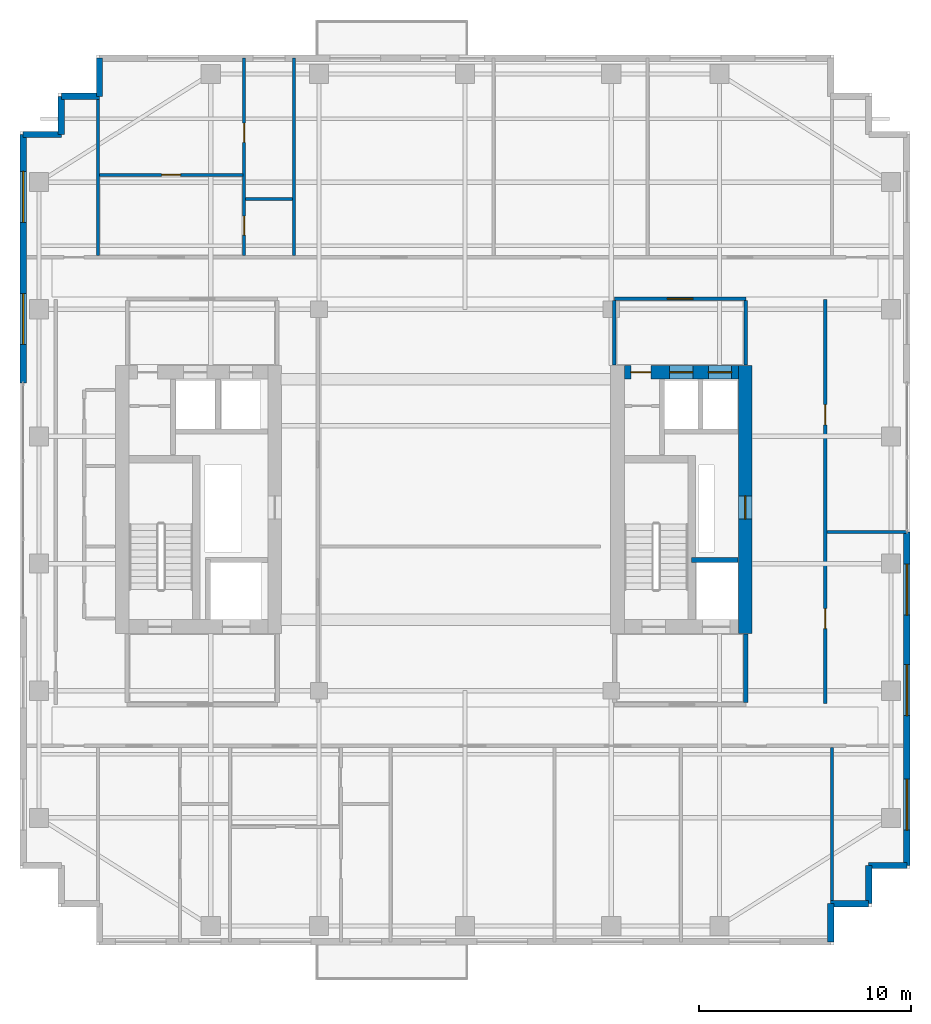
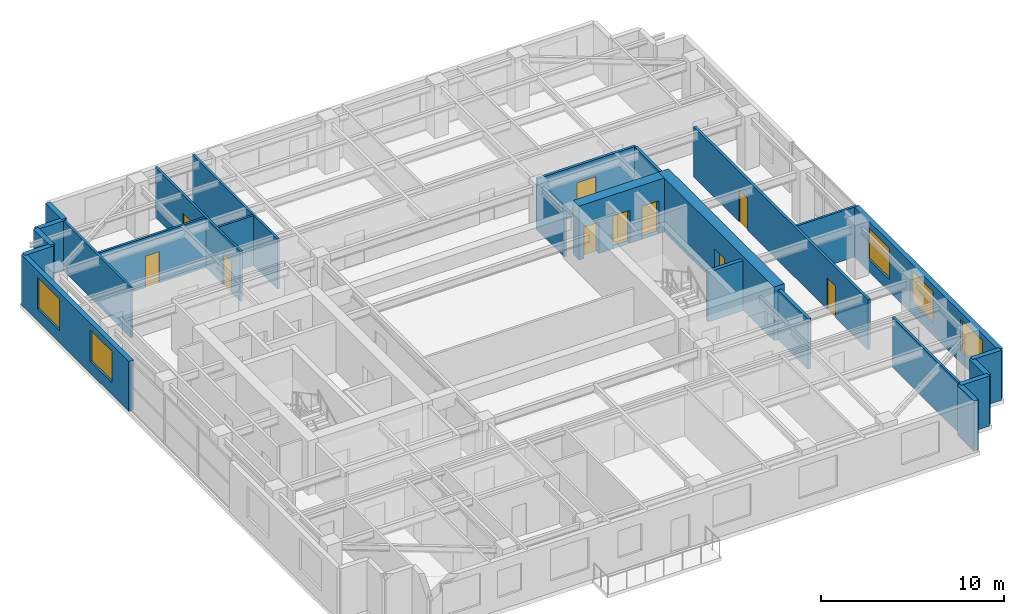
# One storey, part 11 of 15: 25 walls, 10 doors, 5 windows, 15 openings.
"""IFC4 building model written with IfcOpenShell, lengths in metres."""

from ifc_helpers import new_model, si_unit, direction, frame, frame_2d, origin, place, context, subcontext, project, spatial, rectangle, extrude, source, transform, mapped, material, layer, layer_set, type_object, element, fill, save


model = new_model("IFC4")

# Units and contexts
model_context = context("Model", 3, precision=1e-05, world=origin(), true_north=direction((0.0, 1.0)))
body_context = subcontext(model_context, "Body", "Model", "MODEL_VIEW")
ifc_project = project(units=[si_unit("LENGTHUNIT", "METRE"), si_unit("AREAUNIT", "SQUARE_METRE"), si_unit("VOLUMEUNIT", "CUBIC_METRE"), si_unit("PLANEANGLEUNIT", "RADIAN"), si_unit("MASSUNIT", "GRAM", prefix="KILO")], contexts=[model_context])

# Site, building, storey
site_placement = place(None, origin())
site = spatial("IfcSite", under=ifc_project, at=site_placement, CompositionType="ELEMENT")
building_placement = place(site_placement, origin())
building = spatial("IfcBuilding", under=site, at=building_placement, Name="Khoralis Quay Care Tower", CompositionType="ELEMENT")
storey_placement = place(building_placement, frame((0.0, 0.0, 162.89990234375)))
storey = spatial("IfcBuildingStorey", under=building, at=storey_placement, Name="L42", CompositionType="ELEMENT", Elevation=162.89990234375)

# Wall
ifc_material_1 = material(Name="Gypsum plasterboard on acoustic metal stud")
ifc_layer_1 = layer(ifc_material_1, 0.199951171875)
ifc_layer_set_1 = layer_set([ifc_layer_1], Name="Gypsum plasterboard on acoustic metal stud")
wall_type_1 = type_object("IfcWallType", Name="WL-COMP-200", PredefinedType="PARTITIONING", material=ifc_layer_set_1)
wall_1_placement = place(storey_placement, frame((37.25, 11.445068359375, 0.0), z_axis=(0.0, 0.0, 1.0), x_axis=(0.0, 1.0, 0.0)))
element("IfcWall", 1, at=wall_1_placement, inside=storey, type_object=wall_type_1, Name="L42 East Firefighting Lobby East Wall", PredefinedType="PARTITIONING", context=body_context, shape_type="SweptSolid", body=[
    extrude(rectangle(XDim=3.23486328125, YDim=0.199951171875, at=frame_2d((1.617431640625, 0.0))), origin(), (0.0, 0.0, 1.0), 3.340087890625),
])

# Wall, opening, door
ifc_material_2 = material(Name="Concrete C65/80", Category="concrete")
ifc_layer_2 = layer(ifc_material_2, 0.64990234375)
ifc_layer_set_2 = layer_set([ifc_layer_2], Name="Concrete C65/80")
wall_type_2 = type_object("IfcWallType", Name="WL-CORE-650", PredefinedType="SHEAR", material=ifc_layer_set_2)
wall_2_placement = place(storey_placement, frame((37.22509765625, 14.699951171875, 0.0), z_axis=(0.0, 0.0, 1.0), x_axis=(0.0, 1.0, 0.0)))
wall_2 = element("IfcWall", 2, at=wall_2_placement, inside=storey, type_object=wall_type_2, Name="L42 ECORE East Shear Wall", PredefinedType="SHEAR", context=body_context, shape_type="SweptSolid", body=[
    extrude(rectangle(XDim=12.650146484375, YDim=0.64990234375, at=frame_2d((6.3251953125, 0.0))), origin(), (0.0, 0.0, 1.0), 3.60009765625),
])
opening_1_placement = place(wall_2_placement, frame((5.39990234375, 0.0, 0.0)))
opening_1 = element("IfcOpeningElement", 3, at=opening_1_placement, cuts=wall_2, Name="Opening SD1", PredefinedType="OPENING", context=body_context, shape_type="SweptSolid", body=[
    extrude(rectangle(XDim=1.10009765625, YDim=2.199951171875, at=frame_2d((0.550048828125, 1.10009765625))), frame((0.0, 0.3349609375, 0.0), z_axis=(0.0, -1.0, 0.0), x_axis=(1.0, 0.0, 0.0)), (0.0, 0.0, 1.0), 0.669921875),
])
ifc_material_3 = material(Name="Fire-rated painted steel", Category="steel")
door_type_1 = type_object("IfcDoorType", Name="DR-STAIR-1100X2200", OperationType="NOTDEFINED", PredefinedType="DOOR", material=ifc_material_3)
shared_shape_1 = source(origin(), body_context, "Body", "SweptSolid", [
    extrude(rectangle(XDim=1.10009765625, YDim=2.199951171875, at=frame_2d((0.550048828125, 1.10009765625))), frame((0.0, 0.02490234375, 0.0), z_axis=(0.0, -1.0, 0.0), x_axis=(1.0, 0.0, 0.0)), (0.0, 0.0, 1.0), 0.050048828125),
])
door_1_placement = place(opening_1_placement, frame((1.10009765625, 0.0, 0.0), z_axis=(0.0, 0.0, 1.0), x_axis=(-1.0, 0.0, 0.0)))
door_1 = element("IfcDoor", 4, at=door_1_placement, inside=storey, type_object=door_type_1, Name="L42 East MEP Riser Door", OperationType="SINGLE_SWING_LEFT", OverallHeight=2.199951171875, OverallWidth=1.10009765625, PredefinedType="DOOR", context=body_context, shape_type="MappedRepresentation", body=[
    mapped(shared_shape_1, transform((0.0, 0.0, 0.0), scale=1.0)),
])
fill(opening_1, door_1)

# Wall, openings, doors
wall_3_placement = place(storey_placement, frame((31.52001953125, 27.02490234375, 0.0), z_axis=(0.0, 0.0, 1.0), x_axis=(1.0, 0.0, 0.0)))
wall_3 = element("IfcWall", 5, at=wall_3_placement, inside=storey, type_object=wall_type_2, Name="L42 ECORE North Shear Wall", PredefinedType="SHEAR", context=body_context, shape_type="SweptSolid", body=[
    extrude(rectangle(XDim=5.3798828125, YDim=0.64990234375, at=frame_2d((2.68994140625, 0.0))), origin(), (0.0, 0.0, 1.0), 3.60009765625),
])
opening_2_placement = place(wall_3_placement, frame((0.300048828125, 0.0, 0.0)))
opening_2 = element("IfcOpeningElement", 6, at=opening_2_placement, cuts=wall_3, Name="Opening ID1", PredefinedType="OPENING", context=body_context, shape_type="SweptSolid", body=[
    extrude(rectangle(XDim=0.949951171875, YDim=2.10009765625, at=frame_2d((0.47509765625, 1.050048828125))), frame((0.0, 0.3349609375, 0.0), z_axis=(0.0, -1.0, 0.0), x_axis=(1.0, 0.0, 0.0)), (0.0, 0.0, 1.0), 0.669921875),
])
opening_3_placement = place(wall_3_placement, frame((2.1298828125, 0.0, 0.0)))
opening_3 = element("IfcOpeningElement", 7, at=opening_3_placement, cuts=wall_3, Name="Opening LD1", PredefinedType="OPENING", context=body_context, shape_type="SweptSolid", body=[
    extrude(rectangle(XDim=1.10009765625, YDim=2.199951171875, at=frame_2d((0.550048828125, 1.10009765625))), frame((0.0, 0.3349609375, 0.0), z_axis=(0.0, -1.0, 0.0), x_axis=(1.0, 0.0, 0.0)), (0.0, 0.0, 1.0), 0.669921875),
])
opening_4_placement = place(wall_3_placement, frame((3.9599609375, 0.0, 0.0)))
opening_4 = element("IfcOpeningElement", 8, at=opening_4_placement, cuts=wall_3, Name="Opening LD1", PredefinedType="OPENING", context=body_context, shape_type="SweptSolid", body=[
    extrude(rectangle(XDim=1.10009765625, YDim=2.199951171875, at=frame_2d((0.550048828125, 1.10009765625))), frame((0.0, 0.3349609375, 0.0), z_axis=(0.0, -1.0, 0.0), x_axis=(1.0, 0.0, 0.0)), (0.0, 0.0, 1.0), 0.669921875),
])
ifc_material_4 = material(Name="Brushed stainless steel", Category="steel")
door_type_2 = type_object("IfcDoorType", Name="DR-LIFT-1100X2200", OperationType="SLIDING_TO_LEFT", PredefinedType="DOOR", material=ifc_material_4)
shared_shape_2 = source(origin(), body_context, "Body", "SweptSolid", [
    extrude(rectangle(XDim=1.10009765625, YDim=2.199951171875, at=frame_2d((0.550048828125, 1.10009765625))), frame((0.0, 0.02490234375, 0.0), z_axis=(0.0, -1.0, 0.0), x_axis=(1.0, 0.0, 0.0)), (0.0, 0.0, 1.0), 0.050048828125),
])
door_2_placement = place(opening_3_placement, origin())
door_2 = element("IfcDoor", 9, at=door_2_placement, inside=storey, type_object=door_type_2, Name="L42 Lift PLM2 Landing Door", OperationType="SLIDING_TO_LEFT", OverallHeight=2.199951171875, OverallWidth=1.10009765625, PredefinedType="DOOR", context=body_context, shape_type="MappedRepresentation", body=[
    mapped(shared_shape_2, transform((0.0, 0.0, 0.0), scale=1.0)),
])
fill(opening_3, door_2)
door_3_placement = place(opening_4_placement, origin())
door_3 = element("IfcDoor", 10, at=door_3_placement, inside=storey, type_object=door_type_2, Name="L42 Lift PLH2 Landing Door", OperationType="SLIDING_TO_LEFT", OverallHeight=2.199951171875, OverallWidth=1.10009765625, PredefinedType="DOOR", context=body_context, shape_type="MappedRepresentation", body=[
    mapped(shared_shape_2, transform((0.0, 0.0, 0.0), scale=1.0)),
])
fill(opening_4, door_3)
ifc_material_5 = material(Name="Acoustic hardwood timber", Category="wood")
door_type_3 = type_object("IfcDoorType", Name="DR-ROOM-950X2100", OperationType="NOTDEFINED", PredefinedType="DOOR", material=ifc_material_5)
shared_shape_3 = source(origin(), body_context, "Body", "SweptSolid", [
    extrude(rectangle(XDim=0.949951171875, YDim=2.10009765625, at=frame_2d((0.47509765625, 1.050048828125))), frame((0.0, 0.02490234375, 0.0), z_axis=(0.0, -1.0, 0.0), x_axis=(1.0, 0.0, 0.0)), (0.0, 0.0, 1.0), 0.050048828125),
])
door_4_placement = place(opening_2_placement, frame((0.949951171875, 0.0, 0.0), z_axis=(0.0, 0.0, 1.0), x_axis=(-1.0, 0.0, 0.0)))
door_4 = element("IfcDoor", 11, at=door_4_placement, inside=storey, type_object=door_type_3, Name="L42 Nutrition Store Door", OperationType="SINGLE_SWING_LEFT", OverallHeight=2.10009765625, OverallWidth=0.949951171875, PredefinedType="DOOR", context=body_context, shape_type="MappedRepresentation", body=[
    mapped(shared_shape_3, transform((0.0, 0.0, 0.0), scale=1.0)),
])
fill(opening_2, door_4)

# Wall, opening, door
ifc_layer_3 = layer(ifc_material_1, 0.1650390625)
ifc_layer_set_3 = layer_set([ifc_layer_3], Name="Gypsum plasterboard on acoustic metal stud")
wall_type_3 = type_object("IfcWallType", Name="WL-CORR-165", PredefinedType="PARTITIONING", material=ifc_layer_set_3)
wall_4_placement = place(storey_placement, frame((31.050048828125, 30.5, 0.0), z_axis=(0.0, 0.0, 1.0), x_axis=(1.0, 0.0, 0.0)))
wall_4 = element("IfcWall", 12, at=wall_4_placement, inside=storey, type_object=wall_type_3, Name="L42 East Lift Lobby North Wall", PredefinedType="PARTITIONING", context=body_context, shape_type="SweptSolid", body=[
    extrude(rectangle(XDim=6.199951171875, YDim=0.1650390625, at=frame_2d((3.10009765625, 0.0))), origin(), (0.0, 0.0, 1.0), 3.340087890625),
])
opening_5_placement = place(wall_4_placement, frame((2.5, 0.0, 0.0)))
opening_5 = element("IfcOpeningElement", 13, at=opening_5_placement, cuts=wall_4, Name="Opening FD1", PredefinedType="OPENING", context=body_context, shape_type="SweptSolid", body=[
    extrude(rectangle(XDim=1.199951171875, YDim=2.199951171875, at=frame_2d((0.60009765625, 1.10009765625))), frame((0.0, 0.092529296875, 0.0), z_axis=(0.0, -1.0, 0.0), x_axis=(1.0, 0.0, 0.0)), (0.0, 0.0, 1.0), 0.18505859375),
])
door_type_4 = type_object("IfcDoorType", Name="DR-FFL-1200X2200", OperationType="NOTDEFINED", PredefinedType="DOOR", material=ifc_material_3)
shared_shape_4 = source(origin(), body_context, "Body", "SweptSolid", [
    extrude(rectangle(XDim=1.199951171875, YDim=2.199951171875, at=frame_2d((0.60009765625, 1.10009765625))), frame((0.0, 0.02490234375, 0.0), z_axis=(0.0, -1.0, 0.0), x_axis=(1.0, 0.0, 0.0)), (0.0, 0.0, 1.0), 0.050048828125),
])
door_5_placement = place(opening_5_placement, origin())
door_5 = element("IfcDoor", 14, at=door_5_placement, inside=storey, type_object=door_type_4, Name="L42 East Lift Lobby Double Door", OperationType="DOUBLE_DOOR_SINGLE_SWING", OverallHeight=2.199951171875, OverallWidth=1.199951171875, PredefinedType="DOOR", context=body_context, shape_type="MappedRepresentation", body=[
    mapped(shared_shape_4, transform((0.0, 0.0, 0.0), scale=1.0)),
])
fill(opening_5, door_5)

# Walls
wall_5_placement = place(storey_placement, frame((31.050048828125, 27.3701171875, 0.0), z_axis=(0.0, 0.0, 1.0), x_axis=(0.0, 1.0, 0.0)))
element("IfcWall", 15, at=wall_5_placement, inside=storey, type_object=wall_type_3, Name="L42 East Lift Lobby West Wall", PredefinedType="PARTITIONING", context=body_context, shape_type="SweptSolid", body=[
    extrude(rectangle(XDim=3.052490234375, YDim=0.1650390625, at=frame_2d((1.5263671875, 0.0))), origin(), (0.0, 0.0, 1.0), 2.877197265625),
])
wall_6_placement = place(storey_placement, frame((37.25, 27.3701171875, 0.0), z_axis=(0.0, 0.0, 1.0), x_axis=(0.0, 1.0, 0.0)))
element("IfcWall", 16, at=wall_6_placement, inside=storey, type_object=wall_type_3, Name="L42 East Lift Lobby East Wall", PredefinedType="PARTITIONING", context=body_context, shape_type="SweptSolid", body=[
    extrude(rectangle(XDim=3.052490234375, YDim=0.1650390625, at=frame_2d((1.5263671875, 0.0))), origin(), (0.0, 0.0, 1.0), 3.340087890625),
])

# Wall, openings, doors
wall_7_placement = place(storey_placement, frame((41.0, 11.39990234375, 0.0), z_axis=(0.0, 0.0, 1.0), x_axis=(0.0, 1.0, 0.0)))
wall_7 = element("IfcWall", 17, at=wall_7_placement, inside=storey, type_object=wall_type_3, Name="L42 East Gallery Wall", PredefinedType="PARTITIONING", context=body_context, shape_type="SweptSolid", body=[
    extrude(rectangle(XDim=19.050048828125, YDim=0.1650390625, at=frame_2d((9.52490234375, 0.0))), origin(), (0.0, 0.0, 1.0), 3.340087890625),
])
opening_6_placement = place(wall_7_placement, frame((3.52490234375, 0.0, 0.0)))
opening_6 = element("IfcOpeningElement", 18, at=opening_6_placement, cuts=wall_7, Name="Opening ID1", PredefinedType="OPENING", context=body_context, shape_type="SweptSolid", body=[
    extrude(rectangle(XDim=0.949951171875, YDim=2.10009765625, at=frame_2d((0.47509765625, 1.050048828125))), frame((0.0, 0.092529296875, 0.0), z_axis=(0.0, -1.0, 0.0), x_axis=(1.0, 0.0, 0.0)), (0.0, 0.0, 1.0), 0.18505859375),
])
opening_7_placement = place(wall_7_placement, frame((13.14990234375, 0.0, 0.0)))
opening_7 = element("IfcOpeningElement", 19, at=opening_7_placement, cuts=wall_7, Name="Opening ID1", PredefinedType="OPENING", context=body_context, shape_type="SweptSolid", body=[
    extrude(rectangle(XDim=0.949951171875, YDim=2.10009765625, at=frame_2d((0.47509765625, 1.050048828125))), frame((0.0, 0.092529296875, 0.0), z_axis=(0.0, -1.0, 0.0), x_axis=(1.0, 0.0, 0.0)), (0.0, 0.0, 1.0), 0.18505859375),
])
door_6_placement = place(opening_6_placement, origin())
door_6 = element("IfcDoor", 20, at=door_6_placement, inside=storey, type_object=door_type_3, Name="L42 East Clinic Door", OperationType="SINGLE_SWING_LEFT", OverallHeight=2.10009765625, OverallWidth=0.949951171875, PredefinedType="DOOR", context=body_context, shape_type="MappedRepresentation", body=[
    mapped(shared_shape_3, transform((0.0, 0.0, 0.0), scale=1.0)),
])
fill(opening_6, door_6)
door_7_placement = place(opening_7_placement, origin())
door_7 = element("IfcDoor", 21, at=door_7_placement, inside=storey, type_object=door_type_3, Name="L42 East Lounge Door", OperationType="SINGLE_SWING_RIGHT", OverallHeight=2.10009765625, OverallWidth=0.949951171875, PredefinedType="DOOR", context=body_context, shape_type="MappedRepresentation", body=[
    mapped(shared_shape_3, transform((0.0, 0.0, 0.0), scale=1.0)),
])
fill(opening_7, door_7)

# Walls
ifc_material_6 = material(Name="Precast concrete C45/55", Category="concrete")
ifc_layer_4 = layer(ifc_material_6, 0.300048828125)
ifc_layer_set_4 = layer_set([ifc_layer_4], Name="Precast concrete C45/55")
wall_type_4 = type_object("IfcWallType", Name="WL-EXT-REF-300", PredefinedType="SOLIDWALL", material=ifc_layer_set_4)
for number, where, z_axis, x_axis, name in (
    (22, (41.25, 0.14990234375, 0.0), (0.0, 0.0, 1.0), (0.0, 1.0, 0.0), "L42 External Facade Wall WL-EXT-L42-P1-C1"),
    (23, (41.25, 1.949951171875, 0.0), (0.0, 0.0, 1.0), (1.0, 0.0, 0.0), "L42 External Facade Wall WL-EXT-L42-P1-C2"),
    (24, (43.050048828125, 1.949951171875, 0.0), (0.0, 0.0, 1.0), (0.0, 1.0, 0.0), "L42 External Facade Wall WL-EXT-L42-P1-C3"),
    (25, (43.050048828125, 3.75, 0.0), (0.0, 0.0, 1.0), (1.0, 0.0, 0.0), "L42 External Facade Wall WL-EXT-L42-P1-C4"),
):
    element("IfcWall", number, at=place(storey_placement, frame(where, z_axis=z_axis, x_axis=x_axis)), inside=storey, type_object=wall_type_4, Name=name, PredefinedType="SOLIDWALL", context=body_context, shape_type="SweptSolid", body=[
        extrude(rectangle(XDim=1.800048828125, YDim=0.300048828125, at=frame_2d((0.89990234375, 0.0))), origin(), (0.0, 0.0, 1.0), 3.340087890625),
    ])

# Wall, openings, windows
wall_8_placement = place(storey_placement, frame((44.85009765625, 3.75, 0.0), z_axis=(0.0, 0.0, 1.0), x_axis=(0.0, 1.0, 0.0)))
wall_8 = element("IfcWall", 26, at=wall_8_placement, inside=storey, type_object=wall_type_4, Name="L42 External Facade Wall WL-EXT-L42-P1-E5A", PredefinedType="SOLIDWALL", context=body_context, shape_type="SweptSolid", body=[
    extrude(rectangle(XDim=15.75, YDim=0.300048828125, at=frame_2d((7.875, 0.0))), origin(), (0.0, 0.0, 1.0), 3.340087890625),
])
opening_8_placement = place(wall_8_placement, frame((1.675048828125, 0.0, 0.800048828125)))
opening_8 = element("IfcOpeningElement", 27, at=opening_8_placement, cuts=wall_8, Name="Opening W1", PredefinedType="OPENING", context=body_context, shape_type="SweptSolid", body=[
    extrude(rectangle(XDim=2.39990234375, YDim=2.10009765625, at=frame_2d((1.199951171875, 1.050048828125))), frame((0.0, 0.16015625, 0.0), z_axis=(0.0, -1.0, 0.0), x_axis=(1.0, 0.0, 0.0)), (0.0, 0.0, 1.0), 0.320068359375),
])
opening_9_placement = place(wall_8_placement, frame((7.080078125, 0.0, 0.800048828125)))
opening_9 = element("IfcOpeningElement", 28, at=opening_9_placement, cuts=wall_8, Name="Opening W1", PredefinedType="OPENING", context=body_context, shape_type="SweptSolid", body=[
    extrude(rectangle(XDim=2.39990234375, YDim=2.10009765625, at=frame_2d((1.199951171875, 1.050048828125))), frame((0.0, 0.16015625, 0.0), z_axis=(0.0, -1.0, 0.0), x_axis=(1.0, 0.0, 0.0)), (0.0, 0.0, 1.0), 0.320068359375),
])
opening_10_placement = place(wall_8_placement, frame((11.820068359375, 0.0, 0.800048828125)))
opening_10 = element("IfcOpeningElement", 29, at=opening_10_placement, cuts=wall_8, Name="Opening W1", PredefinedType="OPENING", context=body_context, shape_type="SweptSolid", body=[
    extrude(rectangle(XDim=2.39990234375, YDim=2.10009765625, at=frame_2d((1.199951171875, 1.050048828125))), frame((0.0, 0.16015625, 0.0), z_axis=(0.0, -1.0, 0.0), x_axis=(1.0, 0.0, 0.0)), (0.0, 0.0, 1.0), 0.320068359375),
])
ifc_material_7 = material(Name="Low-E solar-control double glazing", Category="glass")
window_type = type_object("IfcWindowType", Name="WN-POD-2400X2100", PartitioningType="SINGLE_PANEL", PredefinedType="WINDOW", material=ifc_material_7)
shared_shape_5 = source(origin(), body_context, "Body", "SweptSolid", [
    extrude(rectangle(XDim=2.39990234375, YDim=2.10009765625, at=frame_2d((1.199951171875, 1.050048828125))), frame((0.0, 0.030029296875, 0.0), z_axis=(0.0, -1.0, 0.0), x_axis=(1.0, 0.0, 0.0)), (0.0, 0.0, 1.0), 0.06005859375),
])
window_1_placement = place(opening_8_placement, origin())
window_1 = element("IfcWindow", 30, at=window_1_placement, inside=storey, type_object=window_type, Name="WN-L42-P1-E5A Facade Window 01", OverallHeight=2.10009765625, OverallWidth=2.39990234375, PartitioningType="SINGLE_PANEL", PredefinedType="WINDOW", context=body_context, shape_type="MappedRepresentation", body=[
    mapped(shared_shape_5, transform((0.0, 0.0, 0.0), scale=1.0)),
])
fill(opening_8, window_1)
window_2_placement = place(opening_9_placement, origin())
window_2 = element("IfcWindow", 31, at=window_2_placement, inside=storey, type_object=window_type, Name="WN-L42-P1-E5A Facade Window 02", OverallHeight=2.10009765625, OverallWidth=2.39990234375, PartitioningType="SINGLE_PANEL", PredefinedType="WINDOW", context=body_context, shape_type="MappedRepresentation", body=[
    mapped(shared_shape_5, transform((0.0, 0.0, 0.0), scale=1.0)),
])
fill(opening_9, window_2)
window_3_placement = place(opening_10_placement, origin())
window_3 = element("IfcWindow", 32, at=window_3_placement, inside=storey, type_object=window_type, Name="WN-L42-P1-E5A Facade Window 03", OverallHeight=2.10009765625, OverallWidth=2.39990234375, PartitioningType="SINGLE_PANEL", PredefinedType="WINDOW", context=body_context, shape_type="MappedRepresentation", body=[
    mapped(shared_shape_5, transform((0.0, 0.0, 0.0), scale=1.0)),
])
fill(opening_10, window_3)

# Walls
for number, where, z_axis, x_axis, name in (
    (33, (6.75, 41.85009765625, 0.0), (0.0, 0.0, 1.0), (0.0, -1.0, 0.0), "L42 External Facade Wall WL-EXT-L42-P1-C11"),
    (34, (6.75, 40.050048828125, 0.0), (0.0, 0.0, 1.0), (-1.0, 0.0, 0.0), "L42 External Facade Wall WL-EXT-L42-P1-C12"),
    (35, (4.949951171875, 40.050048828125, 0.0), (0.0, 0.0, 1.0), (0.0, -1.0, 0.0), "L42 External Facade Wall WL-EXT-L42-P1-C13"),
    (36, (4.949951171875, 38.25, 0.0), (0.0, 0.0, 1.0), (-1.0, 0.0, 0.0), "L42 External Facade Wall WL-EXT-L42-P1-C14"),
):
    element("IfcWall", number, at=place(storey_placement, frame(where, z_axis=z_axis, x_axis=x_axis)), inside=storey, type_object=wall_type_4, Name=name, PredefinedType="SOLIDWALL", context=body_context, shape_type="SweptSolid", body=[
        extrude(rectangle(XDim=1.800048828125, YDim=0.300048828125, at=frame_2d((0.89990234375, 0.0))), origin(), (0.0, 0.0, 1.0), 3.340087890625),
    ])

# Wall, openings, windows
wall_9_placement = place(storey_placement, frame((3.14990234375, 38.25, 0.0), z_axis=(0.0, 0.0, 1.0), x_axis=(0.0, -1.0, 0.0)))
wall_9 = element("IfcWall", 37, at=wall_9_placement, inside=storey, type_object=wall_type_4, Name="L42 External Facade Wall WL-EXT-L42-P1-E15A", PredefinedType="SOLIDWALL", context=body_context, shape_type="SweptSolid", body=[
    extrude(rectangle(XDim=11.72998046875, YDim=0.300048828125, at=frame_2d((5.864990234375, 0.0))), origin(), (0.0, 0.0, 1.0), 3.340087890625),
])
opening_11_placement = place(wall_9_placement, frame((1.7451171875, 0.0, 0.800048828125)))
opening_11 = element("IfcOpeningElement", 38, at=opening_11_placement, cuts=wall_9, Name="Opening W1", PredefinedType="OPENING", context=body_context, shape_type="SweptSolid", body=[
    extrude(rectangle(XDim=2.39990234375, YDim=2.10009765625, at=frame_2d((1.199951171875, 1.050048828125))), frame((0.0, 0.16015625, 0.0), z_axis=(0.0, -1.0, 0.0), x_axis=(1.0, 0.0, 0.0)), (0.0, 0.0, 1.0), 0.320068359375),
])
opening_12_placement = place(wall_9_placement, frame((7.510009765625, 0.0, 0.800048828125)))
opening_12 = element("IfcOpeningElement", 39, at=opening_12_placement, cuts=wall_9, Name="Opening W1", PredefinedType="OPENING", context=body_context, shape_type="SweptSolid", body=[
    extrude(rectangle(XDim=2.39990234375, YDim=2.10009765625, at=frame_2d((1.199951171875, 1.050048828125))), frame((0.0, 0.16015625, 0.0), z_axis=(0.0, -1.0, 0.0), x_axis=(1.0, 0.0, 0.0)), (0.0, 0.0, 1.0), 0.320068359375),
])
window_4_placement = place(opening_11_placement, origin())
window_4 = element("IfcWindow", 40, at=window_4_placement, inside=storey, type_object=window_type, Name="WN-L42-P1-E15A Facade Window 01", OverallHeight=2.10009765625, OverallWidth=2.39990234375, PartitioningType="SINGLE_PANEL", PredefinedType="WINDOW", context=body_context, shape_type="MappedRepresentation", body=[
    mapped(shared_shape_5, transform((0.0, 0.0, 0.0), scale=1.0)),
])
fill(opening_11, window_4)
window_5_placement = place(opening_12_placement, origin())
window_5 = element("IfcWindow", 41, at=window_5_placement, inside=storey, type_object=window_type, Name="WN-L42-P1-E15A Facade Window 02", OverallHeight=2.10009765625, OverallWidth=2.39990234375, PartitioningType="SINGLE_PANEL", PredefinedType="WINDOW", context=body_context, shape_type="MappedRepresentation", body=[
    mapped(shared_shape_5, transform((0.0, 0.0, 0.0), scale=1.0)),
])
fill(opening_12, window_5)

# Wall, openings, doors
ifc_material_8 = material(Name="Moisture-resistant gypsum and ceramic tile")
ifc_layer_5 = layer(ifc_material_8, 0.280029296875)
ifc_layer_set_5 = layer_set([ifc_layer_5], Name="Moisture-resistant gypsum and ceramic tile")
wall_type_5 = type_object("IfcWallType", Name="WL-PLUMB-280", PredefinedType="PLUMBINGWALL", material=ifc_layer_set_5)
wall_10_placement = place(storey_placement, frame((13.580078125, 32.53759765625, 0.0), z_axis=(0.0, 0.0, 1.0), x_axis=(0.0, 1.0, 0.0)))
wall_10 = element("IfcWall", 42, at=wall_10_placement, inside=storey, type_object=wall_type_5, Name="L42 Care Suite 0 En-Suite Wall V", PredefinedType="PLUMBINGWALL", context=body_context, shape_type="SweptSolid", body=[
    extrude(rectangle(XDim=9.3173828125, YDim=0.139892578125, at=frame_2d((4.65869140625, 0.0))), origin(), (0.0, 0.0, 1.0), 3.340087890625),
])
opening_13_placement = place(wall_10_placement, frame((0.96240234375, 0.0, 0.0)))
opening_13 = element("IfcOpeningElement", 43, at=opening_13_placement, cuts=wall_10, Name="Opening WD1", PredefinedType="OPENING", context=body_context, shape_type="SweptSolid", body=[
    extrude(rectangle(XDim=0.89990234375, YDim=2.10009765625, at=frame_2d((0.449951171875, 1.050048828125))), frame((0.0, 0.080078125, 0.0), z_axis=(0.0, -1.0, 0.0), x_axis=(1.0, 0.0, 0.0)), (0.0, 0.0, 1.0), 0.159912109375),
])
opening_14_placement = place(wall_10_placement, frame((5.342529296875, 0.0, 0.0)))
opening_14 = element("IfcOpeningElement", 44, at=opening_14_placement, cuts=wall_10, Name="Opening WD1", PredefinedType="OPENING", context=body_context, shape_type="SweptSolid", body=[
    extrude(rectangle(XDim=0.89990234375, YDim=2.10009765625, at=frame_2d((0.449951171875, 1.050048828125))), frame((0.0, 0.080078125, 0.0), z_axis=(0.0, -1.0, 0.0), x_axis=(1.0, 0.0, 0.0)), (0.0, 0.0, 1.0), 0.159912109375),
])
door_type_5 = type_object("IfcDoorType", Name="DR-BATH-900X2100", OperationType="NOTDEFINED", PredefinedType="DOOR", material=ifc_material_5)
shared_shape_6 = source(origin(), body_context, "Body", "SweptSolid", [
    extrude(rectangle(XDim=0.89990234375, YDim=2.10009765625, at=frame_2d((0.449951171875, 1.050048828125))), frame((0.0, 0.02490234375, 0.0), z_axis=(0.0, -1.0, 0.0), x_axis=(1.0, 0.0, 0.0)), (0.0, 0.0, 1.0), 0.050048828125),
])
door_8_placement = place(opening_13_placement, frame((0.89990234375, 0.0, 0.0), z_axis=(0.0, 0.0, 1.0), x_axis=(-1.0, 0.0, 0.0)))
door_8 = element("IfcDoor", 45, at=door_8_placement, inside=storey, type_object=door_type_5, Name="L42 Care CENS Door", OperationType="SINGLE_SWING_LEFT", OverallHeight=2.10009765625, OverallWidth=0.89990234375, PredefinedType="DOOR", context=body_context, shape_type="MappedRepresentation", body=[
    mapped(shared_shape_6, transform((0.0, 0.0, 0.0), scale=1.0)),
])
fill(opening_13, door_8)
door_9_placement = place(opening_14_placement, frame((0.89990234375, 0.0, 0.0), z_axis=(0.0, 0.0, 1.0), x_axis=(-1.0, 0.0, 0.0)))
door_9 = element("IfcDoor", 46, at=door_9_placement, inside=storey, type_object=door_type_5, Name="L42 Care CSIT Door", OperationType="SINGLE_SWING_RIGHT", OverallHeight=2.10009765625, OverallWidth=0.89990234375, PredefinedType="DOOR", context=body_context, shape_type="MappedRepresentation", body=[
    mapped(shared_shape_6, transform((0.0, 0.0, 0.0), scale=1.0)),
])
fill(opening_14, door_9)

# Walls
wall_11_placement = place(storey_placement, frame((13.64501953125, 35.2099609375, 0.0), z_axis=(0.0, 0.0, 1.0), x_axis=(1.0, 0.0, 0.0)))
element("IfcWall", 47, at=wall_11_placement, inside=storey, type_object=wall_type_5, Name="L42 Care Suite 0 En-Suite Wall H", PredefinedType="PLUMBINGWALL", context=body_context, shape_type="SweptSolid", body=[
    extrude(rectangle(XDim=2.219970703125, YDim=0.139892578125, at=frame_2d((1.10986328125, 0.0))), origin(), (0.0, 0.0, 1.0), 3.340087890625),
])
ifc_layer_6 = layer(ifc_material_1, 0.239990234375)
ifc_layer_set_6 = layer_set([ifc_layer_6], Name="Gypsum plasterboard on acoustic metal stud")
wall_type_6 = type_object("IfcWallType", Name="WL-SHAFT-240", PredefinedType="PARTITIONING", material=ifc_layer_set_6)
wall_12_placement = place(storey_placement, frame((34.679931640625, 18.169921875, 0.0), z_axis=(0.0, 0.0, 1.0), x_axis=(1.0, 0.0, 0.0)))
element("IfcWall", 48, at=wall_12_placement, inside=storey, type_object=wall_type_6, Name="L42 FFL-2 Shaft Wall North", PredefinedType="PARTITIONING", context=body_context, shape_type="SweptSolid", body=[
    extrude(rectangle(XDim=2.199951171875, YDim=0.239990234375, at=frame_2d((1.10009765625, 0.0))), origin(), (0.0, 0.0, 1.0), 3.340087890625),
])
ifc_layer_7 = layer(ifc_material_1, 0.139892578125)
ifc_layer_set_7 = layer_set([ifc_layer_7], Name="Gypsum plasterboard on acoustic metal stud")
wall_type_7 = type_object("IfcWallType", Name="WL-UNIT-140", PredefinedType="PARTITIONING", material=ifc_layer_set_7)
wall_13_placement = place(storey_placement, frame((41.077392578125, 19.5, 0.0), z_axis=(0.0, 0.0, 1.0), x_axis=(1.0, 0.0, 0.0)))
element("IfcWall", 49, at=wall_13_placement, inside=storey, type_object=wall_type_7, Name="L42 East Mid Split", PredefinedType="PARTITIONING", context=body_context, shape_type="SweptSolid", body=[
    extrude(rectangle(XDim=3.777587890625, YDim=0.139892578125, at=frame_2d((1.888671875, 0.0))), origin(), (0.0, 0.0, 1.0), 3.340087890625),
])
wall_14_placement = place(storey_placement, frame((41.320068359375, 1.945068359375, 0.0), z_axis=(0.0, 0.0, 1.0), x_axis=(0.0, 1.0, 0.0)))
element("IfcWall", 50, at=wall_14_placement, inside=storey, type_object=wall_type_7, Name="L42 SB Demising Wall 5", PredefinedType="PARTITIONING", context=body_context, shape_type="SweptSolid", body=[
    extrude(rectangle(XDim=7.37744140625, YDim=0.139892578125, at=frame_2d((3.688720703125, 0.0))), origin(), (0.0, 0.0, 1.0), 3.340087890625),
])
wall_15_placement = place(storey_placement, frame((6.679931640625, 32.53759765625, 0.0), z_axis=(0.0, 0.0, 1.0), x_axis=(0.0, 1.0, 0.0)))
element("IfcWall", 51, at=wall_15_placement, inside=storey, type_object=wall_type_7, Name="L42 NB Demising Wall 0", PredefinedType="PARTITIONING", context=body_context, shape_type="SweptSolid", body=[
    extrude(rectangle(XDim=7.517333984375, YDim=0.139892578125, at=frame_2d((3.7587890625, 0.0))), origin(), (0.0, 0.0, 1.0), 3.340087890625),
])
wall_16_placement = place(storey_placement, frame((15.929931640625, 32.53759765625, 0.0), z_axis=(0.0, 0.0, 1.0), x_axis=(0.0, 1.0, 0.0)))
element("IfcWall", 52, at=wall_16_placement, inside=storey, type_object=wall_type_7, Name="L42 NB Demising Wall 1", PredefinedType="PARTITIONING", context=body_context, shape_type="SweptSolid", body=[
    extrude(rectangle(XDim=9.3173828125, YDim=0.139892578125, at=frame_2d((4.65869140625, 0.0))), origin(), (0.0, 0.0, 1.0), 3.340087890625),
])

# Wall, opening, door
wall_17_placement = place(storey_placement, frame((6.7451171875, 36.340087890625, 0.0), z_axis=(0.0, 0.0, 1.0), x_axis=(1.0, 0.0, 0.0)))
wall_17 = element("IfcWall", 53, at=wall_17_placement, inside=storey, type_object=wall_type_7, Name="Skilled Care Bedroom L42-NB0 Sub-Partition", PredefinedType="PARTITIONING", context=body_context, shape_type="SweptSolid", body=[
    extrude(rectangle(XDim=6.769775390625, YDim=0.139892578125, at=frame_2d((3.384765625, 0.0))), origin(), (0.0, 0.0, 1.0), 3.340087890625),
])
opening_15_placement = place(wall_17_placement, frame((2.93505859375, 0.0, 0.0)))
opening_15 = element("IfcOpeningElement", 54, at=opening_15_placement, cuts=wall_17, Name="Opening WD1", PredefinedType="OPENING", context=body_context, shape_type="SweptSolid", body=[
    extrude(rectangle(XDim=0.89990234375, YDim=2.10009765625, at=frame_2d((0.449951171875, 1.050048828125))), frame((0.0, 0.080078125, 0.0), z_axis=(0.0, -1.0, 0.0), x_axis=(1.0, 0.0, 0.0)), (0.0, 0.0, 1.0), 0.159912109375),
])
door_10_placement = place(opening_15_placement, frame((0.89990234375, 0.0, 0.0), z_axis=(0.0, 0.0, 1.0), x_axis=(-1.0, 0.0, 0.0)))
door_10 = element("IfcDoor", 55, at=door_10_placement, inside=storey, type_object=door_type_5, Name="Private Study & Reading Alcove ARE0 Door", OperationType="SINGLE_SWING_LEFT", OverallHeight=2.10009765625, OverallWidth=0.89990234375, PredefinedType="DOOR", context=body_context, shape_type="MappedRepresentation", body=[
    mapped(shared_shape_6, transform((0.0, 0.0, 0.0), scale=1.0)),
])
fill(opening_15, door_10)

save(model, "model.ifc")
